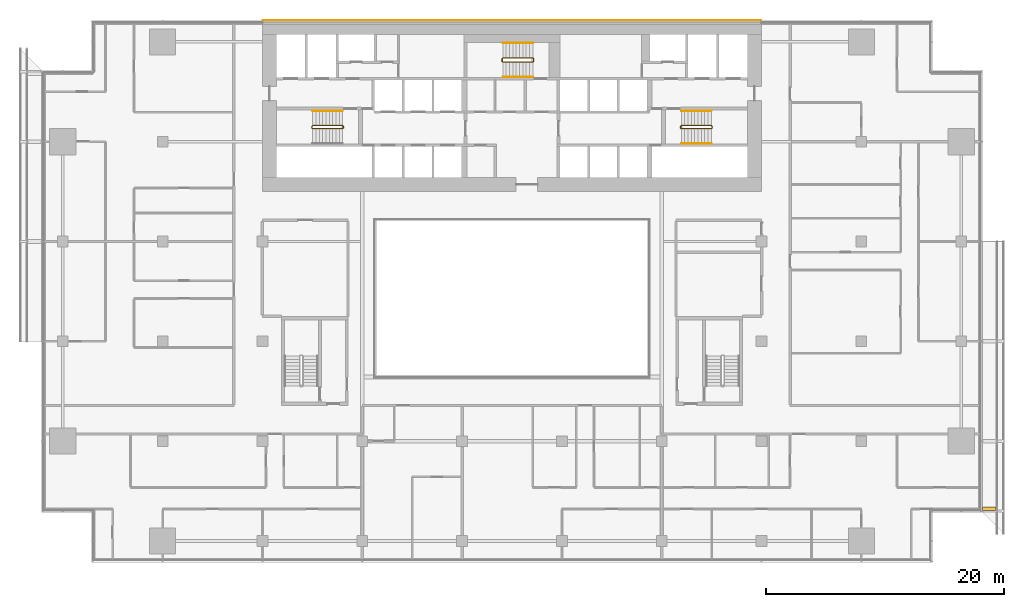
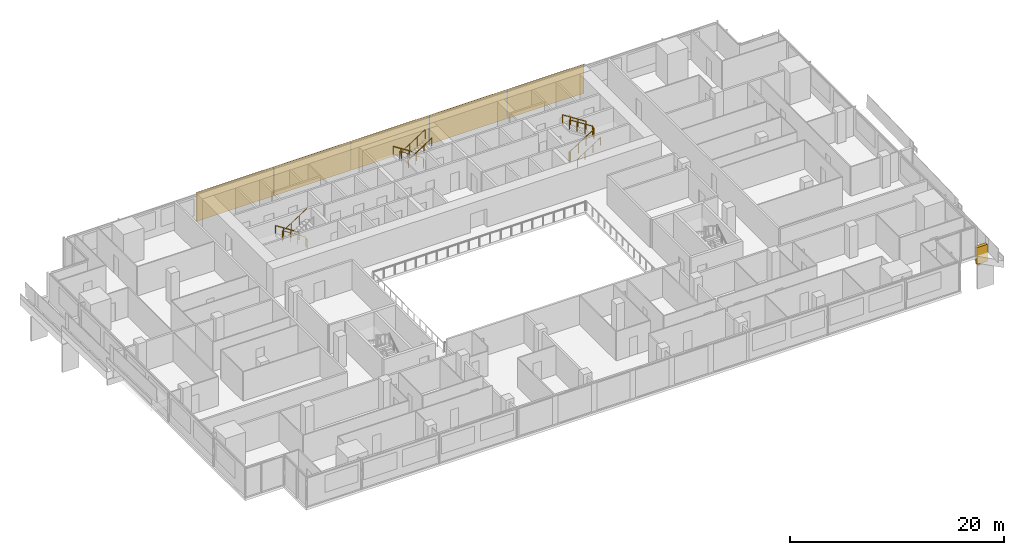
# One storey, part 24 of 25: 8 railings, 6 coverings.
"""IFC4 building model written with IfcOpenShell, lengths in metres."""

from ifc_helpers import new_model, si_unit, direction, frame, origin, origin_2d, place, context, subcontext, project, spatial, polyline, rectangle, circle, outline, extrude, material, layer, layer_set, type_object, element, save


model = new_model("IFC4")

# Units and contexts
model_context = context("Model", 3, precision=1e-05, world=origin(), true_north=direction((0.0, 1.0)))
body_context = subcontext(model_context, "Body", "Model", "MODEL_VIEW")
ifc_project = project(units=[si_unit("LENGTHUNIT", "METRE"), si_unit("AREAUNIT", "SQUARE_METRE"), si_unit("VOLUMEUNIT", "CUBIC_METRE"), si_unit("PLANEANGLEUNIT", "RADIAN"), si_unit("MASSUNIT", "GRAM", prefix="KILO")], contexts=[model_context])

# Site, building, storey
site_placement = place(None, origin())
site = spatial("IfcSite", under=ifc_project, at=site_placement, CompositionType="ELEMENT")
building_placement = place(site_placement, origin())
building = spatial("IfcBuilding", under=site, at=building_placement, Name="Saffron Gate Tower", CompositionType="ELEMENT")
storey_placement = place(building_placement, frame((0.0, 0.0, 73.199951171875)))
storey = spatial("IfcBuildingStorey", under=building, at=storey_placement, Name="L17", CompositionType="ELEMENT", Elevation=73.199951171875)

# Coverings
ifc_material_1 = material(Name="Ceramic-printed bronze insulated panel")
ifc_layer_1 = layer(ifc_material_1, 0.0400390625)
ifc_layer_set_1 = layer_set([ifc_layer_1], Name="CLD1 ceramic-printed cladding panel 40")
covering_type_1 = type_object("IfcCoveringType", Name="CLD1 ceramic-printed cladding panel 40", PredefinedType="CLADDING", material=ifc_layer_set_1)
covering_1_placement = place(storey_placement, origin())
element("IfcCovering", 1, at=covering_1_placement, inside=storey, type_object=covering_type_1, Name="CLADDING ceramic-printed panel", PredefinedType="CLADDING", context=body_context, shape_type="SweptSolid", body=[
    extrude(outline(polyline([(108.56494140625, 75.639892578125), (100.235107421875, 75.639892578125), (100.235107421875, 75.60009765625), (108.56494140625, 75.60009765625), (108.56494140625, 75.639892578125)])), origin(), (0.0, 0.0, 1.0), 3.320068359375),
])
covering_2_placement = place(storey_placement, origin())
element("IfcCovering", 2, at=covering_2_placement, inside=storey, type_object=covering_type_1, Name="CLADDING ceramic-printed panel", PredefinedType="CLADDING", context=body_context, shape_type="SweptSolid", body=[
    extrude(outline(polyline([(100.1650390625, 75.639892578125), (91.8349609375, 75.639892578125), (91.8349609375, 75.60009765625), (100.1650390625, 75.60009765625), (100.1650390625, 75.639892578125)])), origin(), (0.0, 0.0, 1.0), 3.320068359375),
])
covering_3_placement = place(storey_placement, origin())
element("IfcCovering", 3, at=covering_3_placement, inside=storey, type_object=covering_type_1, Name="CLADDING ceramic-printed panel", PredefinedType="CLADDING", context=body_context, shape_type="SweptSolid", body=[
    extrude(outline(polyline([(91.764892578125, 75.639892578125), (83.43505859375, 75.639892578125), (83.43505859375, 75.60009765625), (91.764892578125, 75.60009765625), (91.764892578125, 75.639892578125)])), origin(), (0.0, 0.0, 1.0), 3.320068359375),
])
covering_4_placement = place(storey_placement, origin())
element("IfcCovering", 4, at=covering_4_placement, inside=storey, type_object=covering_type_1, Name="CLADDING ceramic-printed panel", PredefinedType="CLADDING", context=body_context, shape_type="SweptSolid", body=[
    extrude(outline(polyline([(83.364990234375, 75.639892578125), (75.034912109375, 75.639892578125), (75.034912109375, 75.60009765625), (83.364990234375, 75.60009765625), (83.364990234375, 75.639892578125)])), origin(), (0.0, 0.0, 1.0), 3.320068359375),
])
covering_5_placement = place(storey_placement, origin())
element("IfcCovering", 5, at=covering_5_placement, inside=storey, type_object=covering_type_1, Name="CLADDING ceramic-printed panel", PredefinedType="CLADDING", context=body_context, shape_type="SweptSolid", body=[
    extrude(outline(polyline([(74.965087890625, 75.639892578125), (66.635009765625, 75.639892578125), (66.635009765625, 75.60009765625), (74.965087890625, 75.60009765625), (74.965087890625, 75.639892578125)])), origin(), (0.0, 0.0, 1.0), 3.320068359375),
])

# Railings
ifc_material_2 = material(Name="Stainless steel and laminated glass", Category="steel")
railing_type_1 = type_object("IfcRailingType", Name="CR1 Stair guard 1100", PredefinedType="GUARDRAIL", material=ifc_material_2)
railing_1_placement = place(storey_placement, frame((73.39990234375, 66.550048828125, 0.0)))
element("IfcRailing", 6, at=railing_1_placement, inside=storey, type_object=railing_type_1, Name="L17 ST-A stair guard 1", PredefinedType="GUARDRAIL", context=body_context, shape_type="SweptSolid", body=[
    extrude(circle(Radius=0.02392578125, at=origin_2d()), frame((0.0, 0.0, 1.076171875), z_axis=(0.0, 1.0, 0.0), x_axis=(-1.0, 0.0, 0.0)), (0.0, 0.0, 1.0), 0.14990234375),
    extrude(circle(Radius=0.02392578125, at=origin_2d()), frame((0.0, 0.14990234375, 1.076171875), z_axis=(-0.257669022063, 0.258932105505, 0.930892496375), x_axis=(-0.708833529934, -0.705375805398, 0.0)), (0.0, 0.0, 1.0), 0.193359375),
    extrude(circle(Radius=0.02392578125, at=origin_2d()), frame((-0.0498046875, 0.199951171875, 1.255859375), z_axis=(-0.841162588446, 0.0, 0.540782303519), x_axis=(0.0, -1.0, 0.0)), (0.0, 0.0, 1.0), 2.995849609375),
    extrude(circle(Radius=0.02392578125, at=origin_2d()), frame((-2.56982421875, 0.199951171875, 2.8759765625), z_axis=(-0.707106781187, -0.707106781187, 0.0), x_axis=(0.707106781187, -0.707106781187, 0.0)), (0.0, 0.0, 1.0), 0.07080078125),
    extrude(circle(Radius=0.02392578125, at=origin_2d()), frame((-2.619873046875, 0.14990234375, 2.8759765625), z_axis=(0.0, -1.0, 0.0), x_axis=(1.0, 0.0, 0.0)), (0.0, 0.0, 1.0), 0.14990234375),
    extrude(circle(Radius=0.02392578125, at=origin_2d()), frame((-2.619873046875, 0.0, 2.8759765625), z_axis=(0.258847668887, -0.258847668887, 0.930588936439), x_axis=(0.707106781187, 0.707106781187, 0.0)), (0.0, 0.0, 1.0), 0.193359375),
    extrude(circle(Radius=0.02392578125, at=origin_2d()), frame((-2.56982421875, -0.050048828125, 3.05615234375), z_axis=(0.841162588446, 0.0, 0.540782303519), x_axis=(0.0, 1.0, 0.0)), (0.0, 0.0, 1.0), 2.995849609375),
    extrude(circle(Radius=0.02099609375, at=origin_2d()), origin(), (0.0, 0.0, 1.0), 1.052001953125),
    extrude(circle(Radius=0.02099609375, at=origin_2d()), frame((0.0, 0.14990234375, 0.0)), (0.0, 0.0, 1.0), 1.052001953125),
    extrude(circle(Radius=0.02099609375, at=origin_2d()), frame((-0.0498046875, 0.199951171875, 0.179931640625)), (0.0, 0.0, 1.0), 1.052001953125),
    extrude(circle(Radius=0.02099609375, at=origin_2d()), frame((-0.889892578125, 0.199951171875, 0.719970703125)), (0.0, 0.0, 1.0), 1.052001953125),
    extrude(circle(Radius=0.02099609375, at=origin_2d()), frame((-1.729736328125, 0.199951171875, 1.260009765625)), (0.0, 0.0, 1.0), 1.052001953125),
    extrude(circle(Radius=0.02099609375, at=origin_2d()), frame((-2.56982421875, 0.199951171875, 1.800048828125)), (0.0, 0.0, 1.0), 1.052001953125),
    extrude(circle(Radius=0.02099609375, at=origin_2d()), frame((-2.619873046875, 0.14990234375, 1.800048828125)), (0.0, 0.0, 1.0), 1.052001953125),
    extrude(circle(Radius=0.02099609375, at=origin_2d()), frame((-2.619873046875, 0.0, 1.800048828125)), (0.0, 0.0, 1.0), 1.052001953125),
    extrude(circle(Radius=0.02099609375, at=origin_2d()), frame((-2.56982421875, -0.050048828125, 1.97998046875)), (0.0, 0.0, 1.0), 1.052001953125),
    extrude(circle(Radius=0.02099609375, at=origin_2d()), frame((-1.729736328125, -0.050048828125, 2.52001953125)), (0.0, 0.0, 1.0), 1.052001953125),
    extrude(circle(Radius=0.02099609375, at=origin_2d()), frame((-0.889892578125, -0.050048828125, 3.06005859375)), (0.0, 0.0, 1.0), 1.052001953125),
    extrude(circle(Radius=0.02099609375, at=origin_2d()), frame((-0.0498046875, -0.050048828125, 3.60009765625)), (0.0, 0.0, 1.0), 1.052001953125),
])
railing_2_placement = place(storey_placement, frame((101.800048828125, 66.699951171875, 0.0)))
element("IfcRailing", 7, at=railing_2_placement, inside=storey, type_object=railing_type_1, Name="L17 ST-B stair guard 1", PredefinedType="GUARDRAIL", context=body_context, shape_type="SweptSolid", body=[
    extrude(circle(Radius=0.02392578125, at=origin_2d()), frame((0.0, 0.0, 1.076171875), z_axis=(0.0, -1.0, 0.0), x_axis=(1.0, 0.0, 0.0)), (0.0, 0.0, 1.0), 0.14990234375),
    extrude(circle(Radius=0.02392578125, at=origin_2d()), frame((0.0, -0.14990234375, 1.076171875), z_axis=(0.258847668887, -0.258847668887, 0.930588936439), x_axis=(0.707106781187, 0.707106781187, 0.0)), (0.0, 0.0, 1.0), 0.193359375),
    extrude(circle(Radius=0.02392578125, at=origin_2d()), frame((0.050048828125, -0.199951171875, 1.255859375), z_axis=(0.841162588446, 0.0, 0.540782303519), x_axis=(0.0, 1.0, 0.0)), (0.0, 0.0, 1.0), 2.995849609375),
    extrude(circle(Radius=0.02392578125, at=origin_2d()), frame((2.570068359375, -0.199951171875, 2.8759765625), z_axis=(0.705375805398, 0.708833529934, 0.0), x_axis=(-0.708833529934, 0.705375805398, 0.0)), (0.0, 0.0, 1.0), 0.070556640625),
    extrude(circle(Radius=0.02392578125, at=origin_2d()), frame((2.619873046875, -0.14990234375, 2.8759765625), z_axis=(0.0, 1.0, 0.0), x_axis=(-1.0, 0.0, 0.0)), (0.0, 0.0, 1.0), 0.14990234375),
    extrude(circle(Radius=0.02392578125, at=origin_2d()), frame((2.619873046875, 0.0, 2.8759765625), z_axis=(-0.257669022063, 0.258932105505, 0.930892496375), x_axis=(-0.708833529934, -0.705375805398, 0.0)), (0.0, 0.0, 1.0), 0.193359375),
    extrude(circle(Radius=0.02392578125, at=origin_2d()), frame((2.570068359375, 0.050048828125, 3.05615234375), z_axis=(-0.841162588446, 0.0, 0.540782303519), x_axis=(0.0, -1.0, 0.0)), (0.0, 0.0, 1.0), 2.995849609375),
    extrude(circle(Radius=0.02099609375, at=origin_2d()), origin(), (0.0, 0.0, 1.0), 1.052001953125),
    extrude(circle(Radius=0.02099609375, at=origin_2d()), frame((0.0, -0.14990234375, 0.0)), (0.0, 0.0, 1.0), 1.052001953125),
    extrude(circle(Radius=0.02099609375, at=origin_2d()), frame((0.050048828125, -0.199951171875, 0.179931640625)), (0.0, 0.0, 1.0), 1.052001953125),
    extrude(circle(Radius=0.02099609375, at=origin_2d()), frame((0.89013671875, -0.199951171875, 0.719970703125)), (0.0, 0.0, 1.0), 1.052001953125),
    extrude(circle(Radius=0.02099609375, at=origin_2d()), frame((1.72998046875, -0.199951171875, 1.260009765625)), (0.0, 0.0, 1.0), 1.052001953125),
    extrude(circle(Radius=0.02099609375, at=origin_2d()), frame((2.570068359375, -0.199951171875, 1.800048828125)), (0.0, 0.0, 1.0), 1.052001953125),
    extrude(circle(Radius=0.02099609375, at=origin_2d()), frame((2.619873046875, -0.14990234375, 1.800048828125)), (0.0, 0.0, 1.0), 1.052001953125),
    extrude(circle(Radius=0.02099609375, at=origin_2d()), frame((2.619873046875, 0.0, 1.800048828125)), (0.0, 0.0, 1.0), 1.052001953125),
    extrude(circle(Radius=0.02099609375, at=origin_2d()), frame((2.570068359375, 0.050048828125, 1.97998046875)), (0.0, 0.0, 1.0), 1.052001953125),
    extrude(circle(Radius=0.02099609375, at=origin_2d()), frame((1.72998046875, 0.050048828125, 2.52001953125)), (0.0, 0.0, 1.0), 1.052001953125),
    extrude(circle(Radius=0.02099609375, at=origin_2d()), frame((0.89013671875, 0.050048828125, 3.06005859375)), (0.0, 0.0, 1.0), 1.052001953125),
    extrude(circle(Radius=0.02099609375, at=origin_2d()), frame((0.050048828125, 0.050048828125, 3.60009765625)), (0.0, 0.0, 1.0), 1.052001953125),
])
railing_3_placement = place(storey_placement, frame((89.39990234375, 72.14990234375, 0.0)))
element("IfcRailing", 8, at=railing_3_placement, inside=storey, type_object=railing_type_1, Name="L17 ST-C stair guard 1", PredefinedType="GUARDRAIL", context=body_context, shape_type="SweptSolid", body=[
    extrude(circle(Radius=0.02392578125, at=origin_2d()), frame((0.0, 0.0, 1.076171875), z_axis=(0.0, 1.0, 0.0), x_axis=(-1.0, 0.0, 0.0)), (0.0, 0.0, 1.0), 0.25),
    extrude(circle(Radius=0.02392578125, at=origin_2d()), frame((0.0, 0.25, 1.076171875), z_axis=(-0.257669022063, 0.258932105505, 0.930892496375), x_axis=(-0.708833529934, -0.705375805398, 0.0)), (0.0, 0.0, 1.0), 0.193359375),
    extrude(circle(Radius=0.02392578125, at=origin_2d()), frame((-0.0498046875, 0.300048828125, 1.255859375), z_axis=(-0.841162588446, 0.0, 0.540782303519), x_axis=(0.0, -1.0, 0.0)), (0.0, 0.0, 1.0), 2.995849609375),
    extrude(circle(Radius=0.02392578125, at=origin_2d()), frame((-2.56982421875, 0.300048828125, 2.8759765625), z_axis=(-0.707106781187, -0.707106781187, 0.0), x_axis=(0.707106781187, -0.707106781187, 0.0)), (0.0, 0.0, 1.0), 0.07080078125),
    extrude(circle(Radius=0.02392578125, at=origin_2d()), frame((-2.619873046875, 0.25, 2.8759765625), z_axis=(0.0, -1.0, 0.0), x_axis=(1.0, 0.0, 0.0)), (0.0, 0.0, 1.0), 0.25),
    extrude(circle(Radius=0.02392578125, at=origin_2d()), frame((-2.619873046875, 0.0, 2.8759765625), z_axis=(0.258932105505, -0.257669022063, 0.930892496375), x_axis=(0.705375805398, 0.708833529934, 0.0)), (0.0, 0.0, 1.0), 0.193359375),
    extrude(circle(Radius=0.02392578125, at=origin_2d()), frame((-2.56982421875, -0.0498046875, 3.05615234375), z_axis=(0.841162588446, 0.0, 0.540782303519), x_axis=(0.0, 1.0, 0.0)), (0.0, 0.0, 1.0), 2.995849609375),
    extrude(circle(Radius=0.02099609375, at=origin_2d()), origin(), (0.0, 0.0, 1.0), 1.052001953125),
    extrude(circle(Radius=0.02099609375, at=origin_2d()), frame((0.0, 0.25, 0.0)), (0.0, 0.0, 1.0), 1.052001953125),
    extrude(circle(Radius=0.02099609375, at=origin_2d()), frame((-0.0498046875, 0.300048828125, 0.179931640625)), (0.0, 0.0, 1.0), 1.052001953125),
    extrude(circle(Radius=0.02099609375, at=origin_2d()), frame((-0.889892578125, 0.300048828125, 0.719970703125)), (0.0, 0.0, 1.0), 1.052001953125),
    extrude(circle(Radius=0.02099609375, at=origin_2d()), frame((-1.729736328125, 0.300048828125, 1.260009765625)), (0.0, 0.0, 1.0), 1.052001953125),
    extrude(circle(Radius=0.02099609375, at=origin_2d()), frame((-2.56982421875, 0.300048828125, 1.800048828125)), (0.0, 0.0, 1.0), 1.052001953125),
    extrude(circle(Radius=0.02099609375, at=origin_2d()), frame((-2.619873046875, 0.25, 1.800048828125)), (0.0, 0.0, 1.0), 1.052001953125),
    extrude(circle(Radius=0.02099609375, at=origin_2d()), frame((-2.619873046875, 0.0, 1.800048828125)), (0.0, 0.0, 1.0), 1.052001953125),
    extrude(circle(Radius=0.02099609375, at=origin_2d()), frame((-2.56982421875, -0.0498046875, 1.97998046875)), (0.0, 0.0, 1.0), 1.052001953125),
    extrude(circle(Radius=0.02099609375, at=origin_2d()), frame((-1.729736328125, -0.0498046875, 2.52001953125)), (0.0, 0.0, 1.0), 1.052001953125),
    extrude(circle(Radius=0.02099609375, at=origin_2d()), frame((-0.889892578125, -0.0498046875, 3.06005859375)), (0.0, 0.0, 1.0), 1.052001953125),
    extrude(circle(Radius=0.02099609375, at=origin_2d()), frame((-0.0498046875, -0.0498046875, 3.60009765625)), (0.0, 0.0, 1.0), 1.052001953125),
])
ifc_material_3 = material(Name="Stainless steel", Category="steel")
railing_type_2 = type_object("IfcRailingType", Name="CR2 Stair handrail 900", PredefinedType="HANDRAIL", material=ifc_material_3)
railing_4_placement = place(storey_placement, frame((73.35009765625, 68.0, 0.179931640625)))
element("IfcRailing", 9, at=railing_4_placement, inside=storey, type_object=railing_type_2, Name="L17 ST-A stair handrail 1", PredefinedType="HANDRAIL", context=body_context, shape_type="SweptSolid", body=[
    extrude(circle(Radius=0.02392578125, at=origin_2d()), frame((0.0, 0.0, 0.8759765625), z_axis=(-0.841162588446, 0.0, 0.540782303519), x_axis=(0.0, -1.0, 0.0)), (0.0, 0.0, 1.0), 2.995849609375),
    extrude(circle(Radius=0.02099609375, at=origin_2d()), origin(), (0.0, 0.0, 1.0), 0.851806640625),
    extrude(circle(Radius=0.02099609375, at=origin_2d()), frame((-0.840087890625, 0.0, 0.5400390625)), (0.0, 0.0, 1.0), 0.851806640625),
    extrude(circle(Radius=0.02099609375, at=origin_2d()), frame((-1.679931640625, 0.0, 1.080078125)), (0.0, 0.0, 1.0), 0.851806640625),
    extrude(circle(Radius=0.02099609375, at=origin_2d()), frame((-2.52001953125, 0.0, 1.6201171875)), (0.0, 0.0, 1.0), 0.851806640625),
])
railing_5_placement = place(storey_placement, frame((101.85009765625, 65.25, 0.179931640625)))
element("IfcRailing", 10, at=railing_5_placement, inside=storey, type_object=railing_type_2, Name="L17 ST-B stair handrail 1", PredefinedType="HANDRAIL", context=body_context, shape_type="SweptSolid", body=[
    extrude(circle(Radius=0.02392578125, at=origin_2d()), frame((0.0, 0.0, 0.8759765625), z_axis=(0.841162588446, 0.0, 0.540782303519), x_axis=(0.0, 1.0, 0.0)), (0.0, 0.0, 1.0), 2.995849609375),
    extrude(circle(Radius=0.02099609375, at=origin_2d()), origin(), (0.0, 0.0, 1.0), 0.851806640625),
    extrude(circle(Radius=0.02099609375, at=origin_2d()), frame((0.840087890625, 0.0, 0.5400390625)), (0.0, 0.0, 1.0), 0.851806640625),
    extrude(circle(Radius=0.02099609375, at=origin_2d()), frame((1.679931640625, 0.0, 1.080078125)), (0.0, 0.0, 1.0), 0.851806640625),
    extrude(circle(Radius=0.02099609375, at=origin_2d()), frame((2.52001953125, 0.0, 1.6201171875)), (0.0, 0.0, 1.0), 0.851806640625),
])
for number, where, name in (
    (11, (104.3701171875, 68.0, 1.97998046875), "L17 ST-B stair handrail 2"),
    (12, (89.35009765625, 73.699951171875, 0.179931640625), "L17 ST-C stair handrail 1"),
):
    element("IfcRailing", number, at=place(storey_placement, frame(where)), inside=storey, type_object=railing_type_2, Name=name, PredefinedType="HANDRAIL", context=body_context, shape_type="SweptSolid", body=[
        extrude(circle(Radius=0.02392578125, at=origin_2d()), frame((0.0, 0.0, 0.8759765625), z_axis=(-0.841162588446, 0.0, 0.540782303519), x_axis=(0.0, -1.0, 0.0)), (0.0, 0.0, 1.0), 2.995849609375),
        extrude(circle(Radius=0.02099609375, at=origin_2d()), origin(), (0.0, 0.0, 1.0), 0.851806640625),
        extrude(circle(Radius=0.02099609375, at=origin_2d()), frame((-0.840087890625, 0.0, 0.5400390625)), (0.0, 0.0, 1.0), 0.851806640625),
        extrude(circle(Radius=0.02099609375, at=origin_2d()), frame((-1.679931640625, 0.0, 1.080078125)), (0.0, 0.0, 1.0), 0.851806640625),
        extrude(circle(Radius=0.02099609375, at=origin_2d()), frame((-2.52001953125, 0.0, 1.6201171875)), (0.0, 0.0, 1.0), 0.851806640625),
    ])
railing_6_placement = place(storey_placement, frame((86.830078125, 70.85009765625, 1.97998046875)))
element("IfcRailing", 13, at=railing_6_placement, inside=storey, type_object=railing_type_2, Name="L17 ST-C stair handrail 2", PredefinedType="HANDRAIL", context=body_context, shape_type="SweptSolid", body=[
    extrude(circle(Radius=0.02392578125, at=origin_2d()), frame((0.0, 0.0, 0.8759765625), z_axis=(0.841162588446, 0.0, 0.540782303519), x_axis=(0.0, 1.0, 0.0)), (0.0, 0.0, 1.0), 2.995849609375),
    extrude(circle(Radius=0.02099609375, at=origin_2d()), origin(), (0.0, 0.0, 1.0), 0.851806640625),
    extrude(circle(Radius=0.02099609375, at=origin_2d()), frame((0.840087890625, 0.0, 0.5400390625)), (0.0, 0.0, 1.0), 0.851806640625),
    extrude(circle(Radius=0.02099609375, at=origin_2d()), frame((1.679931640625, 0.0, 1.080078125)), (0.0, 0.0, 1.0), 0.851806640625),
    extrude(circle(Radius=0.02099609375, at=origin_2d()), frame((2.52001953125, 0.0, 1.6201171875)), (0.0, 0.0, 1.0), 0.851806640625),
])

# Covering
ifc_material_4 = material(Name="Timber, thermally modified ash", Category="wood")
ifc_layer_2 = layer(ifc_material_4, 0.300048828125)
ifc_layer_set_2 = layer_set([ifc_layer_2], Name="LD3 ledge riser fin")
covering_type_2 = type_object("IfcCoveringType", Name="LD3 ledge riser fin", PredefinedType="CLADDING", material=ifc_layer_set_2)
covering_6_placement = place(storey_placement, frame((127.760009765625, 34.5, -1.12890625), z_axis=(0.0, 0.0, 1.0), x_axis=(0.0, 1.0, 0.0)))
element("IfcCovering", 14, at=covering_6_placement, inside=storey, type_object=covering_type_2, Name="LEDGE riser fin", PredefinedType="CLADDING", context=body_context, shape_type="SweptSolid", body=[
    extrude(rectangle(XDim=0.300048828125, YDim=1.1201171875, at=origin_2d()), origin(), (0.0, 0.0, 1.0), 1.957275390625),
])

save(model, "model.ifc")
